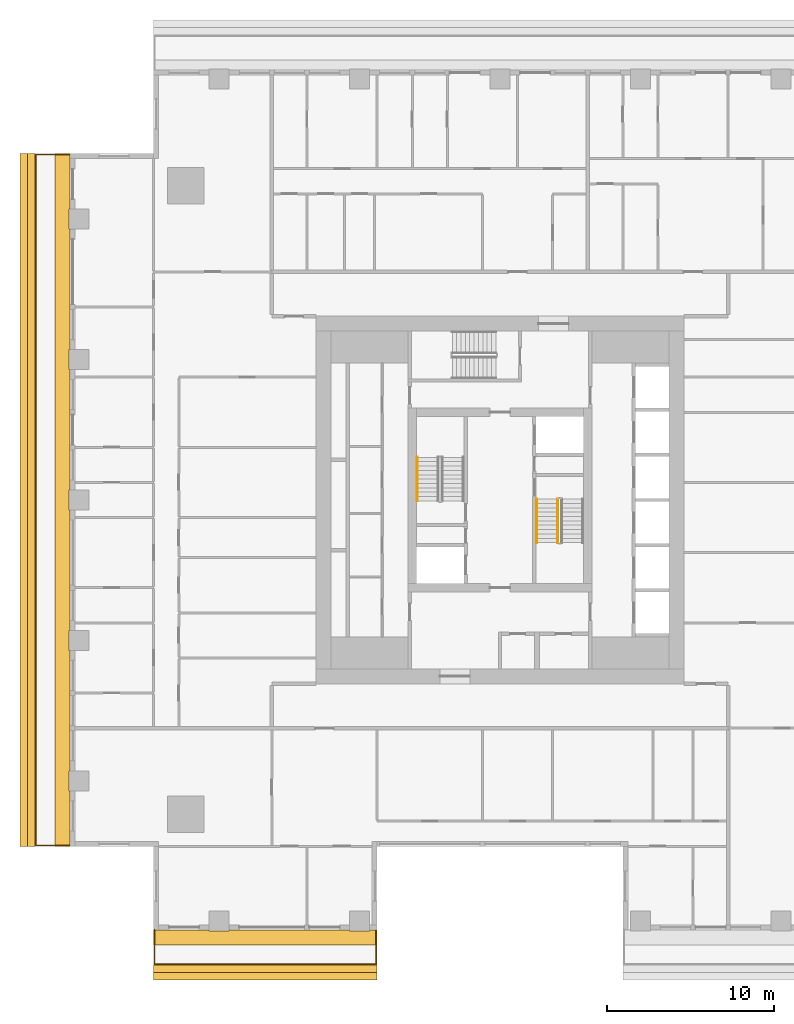
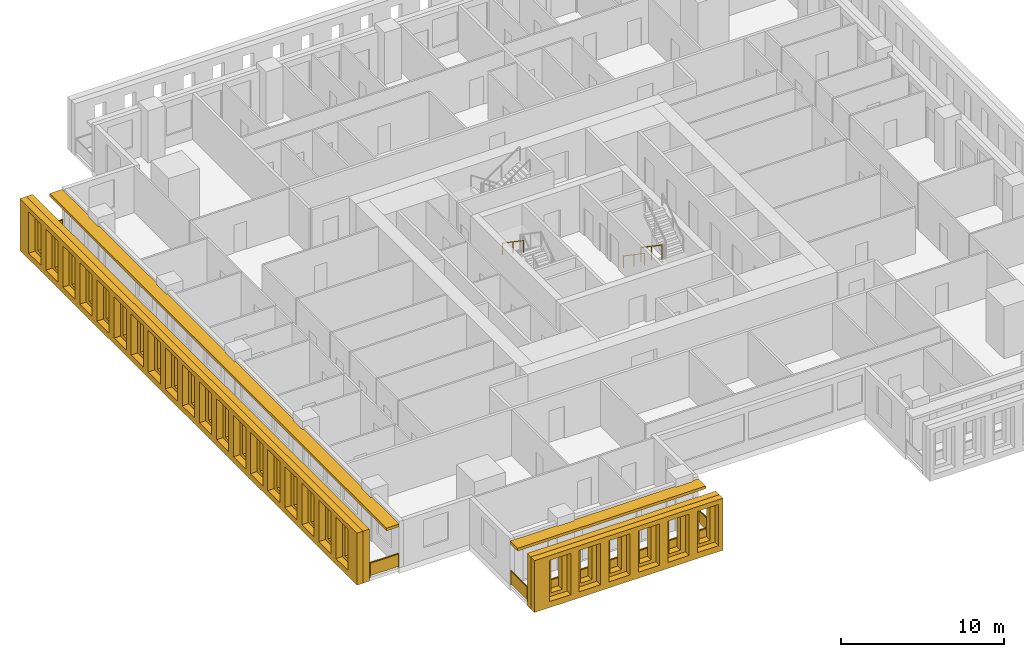
# One storey, part 11 of 15: 6 shading devices, 5 railings.
"""IFC4 building model written with IfcOpenShell, lengths in metres."""

from ifc_helpers import new_model, si_unit, direction, frame, origin, origin_2d, place, context, subcontext, project, spatial, polyline, rectangle, outline, extrude, material, layer, layer_set, type_object, element, save


model = new_model("IFC4")

# Units and contexts
model_context = context("Model", 3, precision=1e-05, world=origin(), true_north=direction((0.0, 1.0)))
body_context = subcontext(model_context, "Body", "Model", "MODEL_VIEW")
ifc_project = project(units=[si_unit("LENGTHUNIT", "METRE"), si_unit("AREAUNIT", "SQUARE_METRE"), si_unit("VOLUMEUNIT", "CUBIC_METRE"), si_unit("PLANEANGLEUNIT", "RADIAN"), si_unit("MASSUNIT", "GRAM", prefix="KILO")], contexts=[model_context])

# Site, building, storey
site_placement = place(None, origin())
site = spatial("IfcSite", under=ifc_project, at=site_placement, CompositionType="ELEMENT")
building_placement = place(site_placement, origin())
building = spatial("IfcBuilding", under=site, at=building_placement, Name="Khepri Terraces", CompositionType="ELEMENT")
storey_placement = place(building_placement, frame((0.0, 0.0, 260.10009765625)))
storey = spatial("IfcBuildingStorey", under=building, at=storey_placement, Name="L62", CompositionType="ELEMENT", Elevation=260.10009765625)

# Railings
ifc_material_1 = material(Name="Stainless steel grade 316", Category="steel")
railing_type_1 = type_object("IfcRailingType", Name="GRD-BAL-1100", PredefinedType="GUARDRAIL", material=ifc_material_1)
railing_1_placement = place(storey_placement, frame((-20.669921875, -25.719970703125, 0.0)))
element("IfcRailing", 1, at=railing_1_placement, inside=storey, type_object=railing_type_1, Name="Balcony guard L62 S", PredefinedType="GUARDRAIL", context=body_context, shape_type="SweptSolid", body=[
    extrude(rectangle(XDim=0.050048828125, YDim=0.06005859375, at=origin_2d()), frame((0.0, 0.0, 1.070068359375), z_axis=(0.0, -1.0, 0.0), x_axis=(1.0, 0.0, 0.0)), (0.0, 0.0, 1.0), 2.050048828125),
    extrude(rectangle(XDim=2.0, YDim=0.011962890625, at=origin_2d()), frame((0.0, -1.02490234375, 0.10009765625), z_axis=(0.0, 0.0, 1.0), x_axis=(0.0, -1.0, 0.0)), (0.0, 0.0, 1.0), 0.93994140625),
    extrude(rectangle(XDim=0.050048828125, YDim=0.06005859375, at=origin_2d()), frame((0.0, -2.050048828125, 1.070068359375), z_axis=(1.0, 0.0, 0.0), x_axis=(0.0, 1.0, 0.0)), (0.0, 0.0, 1.0), 13.27001953125),
    extrude(rectangle(XDim=2.16162109375, YDim=0.011962890625, at=origin_2d()), frame((1.10595703125, -2.050048828125, 0.10009765625), z_axis=(0.0, 0.0, 1.0), x_axis=(1.0, 0.0, 0.0)), (0.0, 0.0, 1.0), 0.93994140625),
    extrude(rectangle(XDim=2.16162109375, YDim=0.011962890625, at=origin_2d()), frame((3.3173828125, -2.050048828125, 0.10009765625), z_axis=(0.0, 0.0, 1.0), x_axis=(1.0, 0.0, 0.0)), (0.0, 0.0, 1.0), 0.93994140625),
    extrude(rectangle(XDim=2.16162109375, YDim=0.011962890625, at=origin_2d()), frame((5.529296875, -2.050048828125, 0.10009765625), z_axis=(0.0, 0.0, 1.0), x_axis=(1.0, 0.0, 0.0)), (0.0, 0.0, 1.0), 0.93994140625),
    extrude(rectangle(XDim=2.16162109375, YDim=0.011962890625, at=origin_2d()), frame((7.740966796875, -2.050048828125, 0.10009765625), z_axis=(0.0, 0.0, 1.0), x_axis=(1.0, 0.0, 0.0)), (0.0, 0.0, 1.0), 0.93994140625),
    extrude(rectangle(XDim=2.16162109375, YDim=0.011962890625, at=origin_2d()), frame((9.95263671875, -2.050048828125, 0.10009765625), z_axis=(0.0, 0.0, 1.0), x_axis=(1.0, 0.0, 0.0)), (0.0, 0.0, 1.0), 0.93994140625),
    extrude(rectangle(XDim=2.16162109375, YDim=0.011962890625, at=origin_2d()), frame((12.1640625, -2.050048828125, 0.10009765625), z_axis=(0.0, 0.0, 1.0), x_axis=(1.0, 0.0, 0.0)), (0.0, 0.0, 1.0), 0.93994140625),
    extrude(rectangle(XDim=0.050048828125, YDim=0.06005859375, at=origin_2d()), frame((13.27001953125, -2.050048828125, 1.070068359375), z_axis=(0.0, 1.0, 0.0), x_axis=(-1.0, 0.0, 0.0)), (0.0, 0.0, 1.0), 2.050048828125),
    extrude(rectangle(XDim=2.0, YDim=0.011962890625, at=origin_2d()), frame((13.27001953125, -1.02490234375, 0.10009765625), z_axis=(0.0, 0.0, 1.0), x_axis=(0.0, 1.0, 0.0)), (0.0, 0.0, 1.0), 0.93994140625),
    extrude(rectangle(XDim=0.050048828125, YDim=0.050048828125, at=origin_2d()), origin(), (0.0, 0.0, 1.0), 1.0400390625),
    extrude(rectangle(XDim=0.050048828125, YDim=0.050048828125, at=origin_2d()), frame((0.0, -2.050048828125, 0.0)), (0.0, 0.0, 1.0), 1.0400390625),
    extrude(rectangle(XDim=0.050048828125, YDim=0.050048828125, at=origin_2d()), frame((2.211669921875, -2.050048828125, 0.0)), (0.0, 0.0, 1.0), 1.0400390625),
    extrude(rectangle(XDim=0.050048828125, YDim=0.050048828125, at=origin_2d()), frame((4.42333984375, -2.050048828125, 0.0)), (0.0, 0.0, 1.0), 1.0400390625),
    extrude(rectangle(XDim=0.050048828125, YDim=0.050048828125, at=origin_2d()), frame((6.635009765625, -2.050048828125, 0.0)), (0.0, 0.0, 1.0), 1.0400390625),
    extrude(rectangle(XDim=0.050048828125, YDim=0.050048828125, at=origin_2d()), frame((8.8466796875, -2.050048828125, 0.0)), (0.0, 0.0, 1.0), 1.0400390625),
    extrude(rectangle(XDim=0.050048828125, YDim=0.050048828125, at=origin_2d()), frame((11.058349609375, -2.050048828125, 0.0)), (0.0, 0.0, 1.0), 1.0400390625),
    extrude(rectangle(XDim=0.050048828125, YDim=0.050048828125, at=origin_2d()), frame((13.27001953125, -2.050048828125, 0.0)), (0.0, 0.0, 1.0), 1.0400390625),
    extrude(rectangle(XDim=0.050048828125, YDim=0.050048828125, at=origin_2d()), frame((13.27001953125, 0.0, 0.0)), (0.0, 0.0, 1.0), 1.0400390625),
])
railing_2_placement = place(storey_placement, frame((-25.719970703125, 20.669921875, 0.0)))
element("IfcRailing", 2, at=railing_2_placement, inside=storey, type_object=railing_type_1, Name="Balcony guard L62 W", PredefinedType="GUARDRAIL", context=body_context, shape_type="SweptSolid", body=[
    extrude(rectangle(XDim=0.050048828125, YDim=0.06005859375, at=origin_2d()), frame((0.0, 0.0, 1.070068359375), z_axis=(-1.0, 0.0, 0.0), x_axis=(0.0, -1.0, 0.0)), (0.0, 0.0, 1.0), 2.050048828125),
    extrude(rectangle(XDim=2.0, YDim=0.011962890625, at=origin_2d()), frame((-1.02490234375, 0.0, 0.10009765625), z_axis=(0.0, 0.0, 1.0), x_axis=(-1.0, 0.0, 0.0)), (0.0, 0.0, 1.0), 0.93994140625),
    extrude(rectangle(XDim=0.050048828125, YDim=0.06005859375, at=origin_2d()), frame((-2.050048828125, 0.0, 1.070068359375), z_axis=(0.0, -1.0, 0.0), x_axis=(1.0, 0.0, 0.0)), (0.0, 0.0, 1.0), 41.33984375),
    extrude(rectangle(XDim=2.24658203125, YDim=0.011962890625, at=origin_2d()), frame((-2.050048828125, -1.1484375, 0.10009765625), z_axis=(0.0, 0.0, 1.0), x_axis=(0.0, -1.0, 0.0)), (0.0, 0.0, 1.0), 0.93994140625),
    extrude(rectangle(XDim=2.24658203125, YDim=0.011962890625, at=origin_2d()), frame((-2.050048828125, -3.445068359375, 0.10009765625), z_axis=(0.0, 0.0, 1.0), x_axis=(0.0, -1.0, 0.0)), (0.0, 0.0, 1.0), 0.93994140625),
    extrude(rectangle(XDim=2.24658203125, YDim=0.011962890625, at=origin_2d()), frame((-2.050048828125, -5.74169921875, 0.10009765625), z_axis=(0.0, 0.0, 1.0), x_axis=(0.0, -1.0, 0.0)), (0.0, 0.0, 1.0), 0.93994140625),
    extrude(rectangle(XDim=2.24658203125, YDim=0.011962890625, at=origin_2d()), frame((-2.050048828125, -8.038330078125, 0.10009765625), z_axis=(0.0, 0.0, 1.0), x_axis=(0.0, -1.0, 0.0)), (0.0, 0.0, 1.0), 0.93994140625),
    extrude(rectangle(XDim=2.24658203125, YDim=0.011962890625, at=origin_2d()), frame((-2.050048828125, -10.3349609375, 0.10009765625), z_axis=(0.0, 0.0, 1.0), x_axis=(0.0, -1.0, 0.0)), (0.0, 0.0, 1.0), 0.93994140625),
    extrude(rectangle(XDim=2.24658203125, YDim=0.011962890625, at=origin_2d()), frame((-2.050048828125, -12.631591796875, 0.10009765625), z_axis=(0.0, 0.0, 1.0), x_axis=(0.0, -1.0, 0.0)), (0.0, 0.0, 1.0), 0.93994140625),
    extrude(rectangle(XDim=2.24658203125, YDim=0.011962890625, at=origin_2d()), frame((-2.050048828125, -14.92822265625, 0.10009765625), z_axis=(0.0, 0.0, 1.0), x_axis=(0.0, -1.0, 0.0)), (0.0, 0.0, 1.0), 0.93994140625),
    extrude(rectangle(XDim=2.24658203125, YDim=0.011962890625, at=origin_2d()), frame((-2.050048828125, -17.224853515625, 0.10009765625), z_axis=(0.0, 0.0, 1.0), x_axis=(0.0, -1.0, 0.0)), (0.0, 0.0, 1.0), 0.93994140625),
    extrude(rectangle(XDim=2.24658203125, YDim=0.011962890625, at=origin_2d()), frame((-2.050048828125, -19.521484375, 0.10009765625), z_axis=(0.0, 0.0, 1.0), x_axis=(0.0, -1.0, 0.0)), (0.0, 0.0, 1.0), 0.93994140625),
    extrude(rectangle(XDim=2.24658203125, YDim=0.011962890625, at=origin_2d()), frame((-2.050048828125, -21.818359375, 0.10009765625), z_axis=(0.0, 0.0, 1.0), x_axis=(0.0, -1.0, 0.0)), (0.0, 0.0, 1.0), 0.93994140625),
    extrude(rectangle(XDim=2.24658203125, YDim=0.011962890625, at=origin_2d()), frame((-2.050048828125, -24.114990234375, 0.10009765625), z_axis=(0.0, 0.0, 1.0), x_axis=(0.0, -1.0, 0.0)), (0.0, 0.0, 1.0), 0.93994140625),
    extrude(rectangle(XDim=2.24658203125, YDim=0.011962890625, at=origin_2d()), frame((-2.050048828125, -26.41162109375, 0.10009765625), z_axis=(0.0, 0.0, 1.0), x_axis=(0.0, -1.0, 0.0)), (0.0, 0.0, 1.0), 0.93994140625),
    extrude(rectangle(XDim=2.24658203125, YDim=0.011962890625, at=origin_2d()), frame((-2.050048828125, -28.708251953125, 0.10009765625), z_axis=(0.0, 0.0, 1.0), x_axis=(0.0, -1.0, 0.0)), (0.0, 0.0, 1.0), 0.93994140625),
    extrude(rectangle(XDim=2.24658203125, YDim=0.011962890625, at=origin_2d()), frame((-2.050048828125, -31.0048828125, 0.10009765625), z_axis=(0.0, 0.0, 1.0), x_axis=(0.0, -1.0, 0.0)), (0.0, 0.0, 1.0), 0.93994140625),
    extrude(rectangle(XDim=2.24658203125, YDim=0.011962890625, at=origin_2d()), frame((-2.050048828125, -33.301513671875, 0.10009765625), z_axis=(0.0, 0.0, 1.0), x_axis=(0.0, -1.0, 0.0)), (0.0, 0.0, 1.0), 0.93994140625),
    extrude(rectangle(XDim=2.24658203125, YDim=0.011962890625, at=origin_2d()), frame((-2.050048828125, -35.59814453125, 0.10009765625), z_axis=(0.0, 0.0, 1.0), x_axis=(0.0, -1.0, 0.0)), (0.0, 0.0, 1.0), 0.93994140625),
    extrude(rectangle(XDim=2.24658203125, YDim=0.011962890625, at=origin_2d()), frame((-2.050048828125, -37.894775390625, 0.10009765625), z_axis=(0.0, 0.0, 1.0), x_axis=(0.0, -1.0, 0.0)), (0.0, 0.0, 1.0), 0.93994140625),
    extrude(rectangle(XDim=2.24658203125, YDim=0.011962890625, at=origin_2d()), frame((-2.050048828125, -40.19140625, 0.10009765625), z_axis=(0.0, 0.0, 1.0), x_axis=(0.0, -1.0, 0.0)), (0.0, 0.0, 1.0), 0.93994140625),
    extrude(rectangle(XDim=0.050048828125, YDim=0.06005859375, at=origin_2d()), frame((-2.050048828125, -41.33984375, 1.070068359375), z_axis=(1.0, 0.0, 0.0), x_axis=(0.0, 1.0, 0.0)), (0.0, 0.0, 1.0), 2.050048828125),
    extrude(rectangle(XDim=2.0, YDim=0.011962890625, at=origin_2d()), frame((-1.02490234375, -41.33984375, 0.10009765625), z_axis=(0.0, 0.0, 1.0), x_axis=(1.0, 0.0, 0.0)), (0.0, 0.0, 1.0), 0.93994140625),
    extrude(rectangle(XDim=0.050048828125, YDim=0.050048828125, at=origin_2d()), origin(), (0.0, 0.0, 1.0), 1.0400390625),
    extrude(rectangle(XDim=0.050048828125, YDim=0.050048828125, at=origin_2d()), frame((-2.050048828125, 0.0, 0.0)), (0.0, 0.0, 1.0), 1.0400390625),
    extrude(rectangle(XDim=0.050048828125, YDim=0.050048828125, at=origin_2d()), frame((-2.050048828125, -2.296630859375, 0.0)), (0.0, 0.0, 1.0), 1.0400390625),
    extrude(rectangle(XDim=0.050048828125, YDim=0.050048828125, at=origin_2d()), frame((-2.050048828125, -4.59326171875, 0.0)), (0.0, 0.0, 1.0), 1.0400390625),
    extrude(rectangle(XDim=0.050048828125, YDim=0.050048828125, at=origin_2d()), frame((-2.050048828125, -6.889892578125, 0.0)), (0.0, 0.0, 1.0), 1.0400390625),
    extrude(rectangle(XDim=0.050048828125, YDim=0.050048828125, at=origin_2d()), frame((-2.050048828125, -9.1865234375, 0.0)), (0.0, 0.0, 1.0), 1.0400390625),
    extrude(rectangle(XDim=0.050048828125, YDim=0.050048828125, at=origin_2d()), frame((-2.050048828125, -11.4833984375, 0.0)), (0.0, 0.0, 1.0), 1.0400390625),
    extrude(rectangle(XDim=0.050048828125, YDim=0.050048828125, at=origin_2d()), frame((-2.050048828125, -13.780029296875, 0.0)), (0.0, 0.0, 1.0), 1.0400390625),
    extrude(rectangle(XDim=0.050048828125, YDim=0.050048828125, at=origin_2d()), frame((-2.050048828125, -16.07666015625, 0.0)), (0.0, 0.0, 1.0), 1.0400390625),
    extrude(rectangle(XDim=0.050048828125, YDim=0.050048828125, at=origin_2d()), frame((-2.050048828125, -18.373291015625, 0.0)), (0.0, 0.0, 1.0), 1.0400390625),
    extrude(rectangle(XDim=0.050048828125, YDim=0.050048828125, at=origin_2d()), frame((-2.050048828125, -20.669921875, 0.0)), (0.0, 0.0, 1.0), 1.0400390625),
    extrude(rectangle(XDim=0.050048828125, YDim=0.050048828125, at=origin_2d()), frame((-2.050048828125, -22.966552734375, 0.0)), (0.0, 0.0, 1.0), 1.0400390625),
    extrude(rectangle(XDim=0.050048828125, YDim=0.050048828125, at=origin_2d()), frame((-2.050048828125, -25.26318359375, 0.0)), (0.0, 0.0, 1.0), 1.0400390625),
    extrude(rectangle(XDim=0.050048828125, YDim=0.050048828125, at=origin_2d()), frame((-2.050048828125, -27.559814453125, 0.0)), (0.0, 0.0, 1.0), 1.0400390625),
    extrude(rectangle(XDim=0.050048828125, YDim=0.050048828125, at=origin_2d()), frame((-2.050048828125, -29.8564453125, 0.0)), (0.0, 0.0, 1.0), 1.0400390625),
    extrude(rectangle(XDim=0.050048828125, YDim=0.050048828125, at=origin_2d()), frame((-2.050048828125, -32.1533203125, 0.0)), (0.0, 0.0, 1.0), 1.0400390625),
    extrude(rectangle(XDim=0.050048828125, YDim=0.050048828125, at=origin_2d()), frame((-2.050048828125, -34.449951171875, 0.0)), (0.0, 0.0, 1.0), 1.0400390625),
    extrude(rectangle(XDim=0.050048828125, YDim=0.050048828125, at=origin_2d()), frame((-2.050048828125, -36.74658203125, 0.0)), (0.0, 0.0, 1.0), 1.0400390625),
    extrude(rectangle(XDim=0.050048828125, YDim=0.050048828125, at=origin_2d()), frame((-2.050048828125, -39.043212890625, 0.0)), (0.0, 0.0, 1.0), 1.0400390625),
    extrude(rectangle(XDim=0.050048828125, YDim=0.050048828125, at=origin_2d()), frame((-2.050048828125, -41.33984375, 0.0)), (0.0, 0.0, 1.0), 1.0400390625),
    extrude(rectangle(XDim=0.050048828125, YDim=0.050048828125, at=origin_2d()), frame((0.0, -41.33984375, 0.0)), (0.0, 0.0, 1.0), 1.0400390625),
])
ifc_material_2 = material(Name="Stainless steel 316", Category="steel")
railing_type_2 = type_object("IfcRailingType", Name="RL-CORE-GUARD", PredefinedType="GUARDRAIL", material=ifc_material_2)
railing_3_placement = place(storey_placement, frame((3.449951171875, 0.050048828125, 0.17724609375)))
element("IfcRailing", 3, at=railing_3_placement, inside=storey, type_object=railing_type_2, Name="L62 ST-2 stair guard 1", PredefinedType="GUARDRAIL", context=body_context, shape_type="SweptSolid", body=[
    extrude(rectangle(XDim=0.050048828125, YDim=0.06005859375, at=origin_2d()), frame((0.0, 0.0, 1.070068359375), z_axis=(0.0, -0.826240473404, 0.563317565952), x_axis=(1.0, 0.0, 0.0)), (0.0, 0.0, 1.0), 3.14697265625),
    extrude(rectangle(XDim=0.050048828125, YDim=0.050048828125, at=origin_2d()), origin(), (0.0, 0.0, 1.0), 1.0400390625),
    extrude(rectangle(XDim=0.050048828125, YDim=0.050048828125, at=origin_2d()), frame((0.0, -1.300048828125, 0.88623046875)), (0.0, 0.0, 1.0), 1.0400390625),
    extrude(rectangle(XDim=0.050048828125, YDim=0.050048828125, at=origin_2d()), frame((0.0, -2.60009765625, 1.772705078125)), (0.0, 0.0, 1.0), 1.0400390625),
])
railing_type_3 = type_object("IfcRailingType", Name="RL-CORE-HANDRAIL", PredefinedType="HANDRAIL", material=ifc_material_2)
for number, where, name in (
    (4, (-4.949951171875, 2.550048828125, 2.127197265625), "L62 ST-1 stair handrail 2"),
    (5, (2.199951171875, 0.050048828125, 0.17724609375), "L62 ST-2 stair handrail 1"),
):
    element("IfcRailing", number, at=place(storey_placement, frame(where)), inside=storey, type_object=railing_type_3, Name=name, PredefinedType="HANDRAIL", context=body_context, shape_type="SweptSolid", body=[
        extrude(rectangle(XDim=0.050048828125, YDim=0.050048828125, at=origin_2d()), frame((0.0, 0.0, 0.875), z_axis=(0.0, -0.826240473404, 0.563317565952), x_axis=(1.0, 0.0, 0.0)), (0.0, 0.0, 1.0), 3.14697265625),
        extrude(rectangle(XDim=0.050048828125, YDim=0.050048828125, at=origin_2d()), origin(), (0.0, 0.0, 1.0), 0.849853515625),
        extrude(rectangle(XDim=0.050048828125, YDim=0.050048828125, at=origin_2d()), frame((0.0, -1.300048828125, 0.88623046875)), (0.0, 0.0, 1.0), 0.849853515625),
        extrude(rectangle(XDim=0.050048828125, YDim=0.050048828125, at=origin_2d()), frame((0.0, -2.60009765625, 1.772705078125)), (0.0, 0.0, 1.0), 0.849853515625),
    ])

# Shading devices
ifc_material_3 = material(Name="Precast concrete C50/60 warm stone", Category="masonry")
shading_device_type_1 = type_object("IfcShadingDeviceType", Name="SCR-CELL-INNER-450", PredefinedType="USERDEFINED", material=ifc_material_3)
shading_device_1_placement = place(storey_placement, frame((-20.719970703125, -27.820068359375, -0.25), z_axis=(0.0, -1.0, 0.0), x_axis=(1.0, 0.0, 0.0)))
element("IfcShadingDevice", 6, at=shading_device_1_placement, inside=storey, type_object=shading_device_type_1, Name="Cell screen L62 S in", ObjectType="SCREEN", PredefinedType="USERDEFINED", context=body_context, shape_type="SweptSolid", body=[
    extrude(outline(polyline([(0.0, 0.0), (13.3701171875, 0.0), (13.3701171875, 3.89990234375), (0.0, 3.89990234375), (0.0, 0.0)]), holes=[polyline([(1.41845703125, 0.699951171875), (2.2216796875, 0.699951171875), (2.2216796875, 3.300048828125), (1.41845703125, 3.300048828125), (1.41845703125, 0.699951171875)]), polyline([(3.518310546875, 0.699951171875), (4.321533203125, 0.699951171875), (4.321533203125, 3.300048828125), (3.518310546875, 3.300048828125), (3.518310546875, 0.699951171875)]), polyline([(5.618408203125, 0.699951171875), (6.421630859375, 0.699951171875), (6.421630859375, 3.300048828125), (5.618408203125, 3.300048828125), (5.618408203125, 0.699951171875)]), polyline([(7.718505859375, 0.699951171875), (8.521484375, 0.699951171875), (8.521484375, 3.300048828125), (7.718505859375, 3.300048828125), (7.718505859375, 0.699951171875)]), polyline([(9.818359375, 0.699951171875), (10.62158203125, 0.699951171875), (10.62158203125, 3.300048828125), (9.818359375, 3.300048828125), (9.818359375, 0.699951171875)]), polyline([(11.91845703125, 0.699951171875), (12.7216796875, 0.699951171875), (12.7216796875, 3.300048828125), (11.91845703125, 3.300048828125), (11.91845703125, 0.699951171875)])]), origin(), (0.0, 0.0, 1.0), 0.449951171875),
])
shading_device_2_placement = place(storey_placement, frame((-27.820068359375, 20.719970703125, -0.25), z_axis=(-1.0, 0.0, 0.0), x_axis=(0.0, -1.0, 0.0)))
element("IfcShadingDevice", 7, at=shading_device_2_placement, inside=storey, type_object=shading_device_type_1, Name="Cell screen L62 W in", ObjectType="SCREEN", PredefinedType="USERDEFINED", context=body_context, shape_type="SweptSolid", body=[
    extrude(outline(polyline([(0.0, 0.0), (41.43994140625, 0.0), (41.43994140625, 3.89990234375), (0.0, 3.89990234375), (0.0, 0.0)]), holes=[polyline([(1.41845703125, 0.699951171875), (2.2216796875, 0.699951171875), (2.2216796875, 3.300048828125), (1.41845703125, 3.300048828125), (1.41845703125, 0.699951171875)]), polyline([(3.518310546875, 0.699951171875), (4.321533203125, 0.699951171875), (4.321533203125, 3.300048828125), (3.518310546875, 3.300048828125), (3.518310546875, 0.699951171875)]), polyline([(5.618408203125, 0.699951171875), (6.421630859375, 0.699951171875), (6.421630859375, 3.300048828125), (5.618408203125, 3.300048828125), (5.618408203125, 0.699951171875)]), polyline([(7.718505859375, 0.699951171875), (8.521484375, 0.699951171875), (8.521484375, 3.300048828125), (7.718505859375, 3.300048828125), (7.718505859375, 0.699951171875)]), polyline([(9.818359375, 0.699951171875), (10.62158203125, 0.699951171875), (10.62158203125, 3.300048828125), (9.818359375, 3.300048828125), (9.818359375, 0.699951171875)]), polyline([(11.91845703125, 0.699951171875), (12.7216796875, 0.699951171875), (12.7216796875, 3.300048828125), (11.91845703125, 3.300048828125), (11.91845703125, 0.699951171875)]), polyline([(14.018310546875, 0.699951171875), (14.821533203125, 0.699951171875), (14.821533203125, 3.300048828125), (14.018310546875, 3.300048828125), (14.018310546875, 0.699951171875)]), polyline([(16.118408203125, 0.699951171875), (16.921630859375, 0.699951171875), (16.921630859375, 3.300048828125), (16.118408203125, 3.300048828125), (16.118408203125, 0.699951171875)]), polyline([(18.218505859375, 0.699951171875), (19.021484375, 0.699951171875), (19.021484375, 3.300048828125), (18.218505859375, 3.300048828125), (18.218505859375, 0.699951171875)]), polyline([(20.318359375, 0.699951171875), (21.12158203125, 0.699951171875), (21.12158203125, 3.300048828125), (20.318359375, 3.300048828125), (20.318359375, 0.699951171875)]), polyline([(22.41845703125, 0.699951171875), (23.2216796875, 0.699951171875), (23.2216796875, 3.300048828125), (22.41845703125, 3.300048828125), (22.41845703125, 0.699951171875)]), polyline([(24.518310546875, 0.699951171875), (25.321533203125, 0.699951171875), (25.321533203125, 3.300048828125), (24.518310546875, 3.300048828125), (24.518310546875, 0.699951171875)]), polyline([(26.618408203125, 0.699951171875), (27.421630859375, 0.699951171875), (27.421630859375, 3.300048828125), (26.618408203125, 3.300048828125), (26.618408203125, 0.699951171875)]), polyline([(28.718505859375, 0.699951171875), (29.521484375, 0.699951171875), (29.521484375, 3.300048828125), (28.718505859375, 3.300048828125), (28.718505859375, 0.699951171875)]), polyline([(30.818359375, 0.699951171875), (31.62158203125, 0.699951171875), (31.62158203125, 3.300048828125), (30.818359375, 3.300048828125), (30.818359375, 0.699951171875)]), polyline([(32.91845703125, 0.699951171875), (33.7216796875, 0.699951171875), (33.7216796875, 3.300048828125), (32.91845703125, 3.300048828125), (32.91845703125, 0.699951171875)]), polyline([(35.018310546875, 0.699951171875), (35.821533203125, 0.699951171875), (35.821533203125, 3.300048828125), (35.018310546875, 3.300048828125), (35.018310546875, 0.699951171875)]), polyline([(37.118408203125, 0.699951171875), (37.921630859375, 0.699951171875), (37.921630859375, 3.300048828125), (37.118408203125, 3.300048828125), (37.118408203125, 0.699951171875)]), polyline([(39.218505859375, 0.699951171875), (40.021484375, 0.699951171875), (40.021484375, 3.300048828125), (39.218505859375, 3.300048828125), (39.218505859375, 0.699951171875)])]), origin(), (0.0, 0.0, 1.0), 0.449951171875),
])
shading_device_type_2 = type_object("IfcShadingDeviceType", Name="SCR-CELL-OUTER-450", PredefinedType="USERDEFINED", material=ifc_material_3)
shading_device_3_placement = place(storey_placement, frame((-20.719970703125, -28.27001953125, -0.25), z_axis=(0.0, -1.0, 0.0), x_axis=(1.0, 0.0, 0.0)))
element("IfcShadingDevice", 8, at=shading_device_3_placement, inside=storey, type_object=shading_device_type_2, Name="Cell screen L62 S out", ObjectType="SCREEN", PredefinedType="USERDEFINED", context=body_context, shape_type="SweptSolid", body=[
    extrude(outline(polyline([(0.0, 0.0), (13.3701171875, 0.0), (13.3701171875, 3.89990234375), (0.0, 3.89990234375), (0.0, 0.0)]), holes=[polyline([(1.068359375, 0.449951171875), (2.571533203125, 0.449951171875), (2.571533203125, 3.550048828125), (1.068359375, 3.550048828125), (1.068359375, 0.449951171875)]), polyline([(3.16845703125, 0.449951171875), (4.671630859375, 0.449951171875), (4.671630859375, 3.550048828125), (3.16845703125, 3.550048828125), (3.16845703125, 0.449951171875)]), polyline([(5.268310546875, 0.449951171875), (6.771484375, 0.449951171875), (6.771484375, 3.550048828125), (5.268310546875, 3.550048828125), (5.268310546875, 0.449951171875)]), polyline([(7.368408203125, 0.449951171875), (8.87158203125, 0.449951171875), (8.87158203125, 3.550048828125), (7.368408203125, 3.550048828125), (7.368408203125, 0.449951171875)]), polyline([(9.468505859375, 0.449951171875), (10.9716796875, 0.449951171875), (10.9716796875, 3.550048828125), (9.468505859375, 3.550048828125), (9.468505859375, 0.449951171875)]), polyline([(11.568359375, 0.449951171875), (13.071533203125, 0.449951171875), (13.071533203125, 3.550048828125), (11.568359375, 3.550048828125), (11.568359375, 0.449951171875)])]), origin(), (0.0, 0.0, 1.0), 0.449951171875),
])
shading_device_4_placement = place(storey_placement, frame((-28.27001953125, 20.719970703125, -0.25), z_axis=(-1.0, 0.0, 0.0), x_axis=(0.0, -1.0, 0.0)))
element("IfcShadingDevice", 9, at=shading_device_4_placement, inside=storey, type_object=shading_device_type_2, Name="Cell screen L62 W out", ObjectType="SCREEN", PredefinedType="USERDEFINED", context=body_context, shape_type="SweptSolid", body=[
    extrude(outline(polyline([(0.0, 0.0), (41.43994140625, 0.0), (41.43994140625, 3.89990234375), (0.0, 3.89990234375), (0.0, 0.0)]), holes=[polyline([(1.068359375, 0.449951171875), (2.571533203125, 0.449951171875), (2.571533203125, 3.550048828125), (1.068359375, 3.550048828125), (1.068359375, 0.449951171875)]), polyline([(3.16845703125, 0.449951171875), (4.671630859375, 0.449951171875), (4.671630859375, 3.550048828125), (3.16845703125, 3.550048828125), (3.16845703125, 0.449951171875)]), polyline([(5.268310546875, 0.449951171875), (6.771484375, 0.449951171875), (6.771484375, 3.550048828125), (5.268310546875, 3.550048828125), (5.268310546875, 0.449951171875)]), polyline([(7.368408203125, 0.449951171875), (8.87158203125, 0.449951171875), (8.87158203125, 3.550048828125), (7.368408203125, 3.550048828125), (7.368408203125, 0.449951171875)]), polyline([(9.468505859375, 0.449951171875), (10.9716796875, 0.449951171875), (10.9716796875, 3.550048828125), (9.468505859375, 3.550048828125), (9.468505859375, 0.449951171875)]), polyline([(11.568359375, 0.449951171875), (13.071533203125, 0.449951171875), (13.071533203125, 3.550048828125), (11.568359375, 3.550048828125), (11.568359375, 0.449951171875)]), polyline([(13.66845703125, 0.449951171875), (15.171630859375, 0.449951171875), (15.171630859375, 3.550048828125), (13.66845703125, 3.550048828125), (13.66845703125, 0.449951171875)]), polyline([(15.768310546875, 0.449951171875), (17.271484375, 0.449951171875), (17.271484375, 3.550048828125), (15.768310546875, 3.550048828125), (15.768310546875, 0.449951171875)]), polyline([(17.868408203125, 0.449951171875), (19.37158203125, 0.449951171875), (19.37158203125, 3.550048828125), (17.868408203125, 3.550048828125), (17.868408203125, 0.449951171875)]), polyline([(19.968505859375, 0.449951171875), (21.4716796875, 0.449951171875), (21.4716796875, 3.550048828125), (19.968505859375, 3.550048828125), (19.968505859375, 0.449951171875)]), polyline([(22.068359375, 0.449951171875), (23.571533203125, 0.449951171875), (23.571533203125, 3.550048828125), (22.068359375, 3.550048828125), (22.068359375, 0.449951171875)]), polyline([(24.16845703125, 0.449951171875), (25.671630859375, 0.449951171875), (25.671630859375, 3.550048828125), (24.16845703125, 3.550048828125), (24.16845703125, 0.449951171875)]), polyline([(26.268310546875, 0.449951171875), (27.771484375, 0.449951171875), (27.771484375, 3.550048828125), (26.268310546875, 3.550048828125), (26.268310546875, 0.449951171875)]), polyline([(28.368408203125, 0.449951171875), (29.87158203125, 0.449951171875), (29.87158203125, 3.550048828125), (28.368408203125, 3.550048828125), (28.368408203125, 0.449951171875)]), polyline([(30.468505859375, 0.449951171875), (31.9716796875, 0.449951171875), (31.9716796875, 3.550048828125), (30.468505859375, 3.550048828125), (30.468505859375, 0.449951171875)]), polyline([(32.568359375, 0.449951171875), (34.071533203125, 0.449951171875), (34.071533203125, 3.550048828125), (32.568359375, 3.550048828125), (32.568359375, 0.449951171875)]), polyline([(34.66845703125, 0.449951171875), (36.171630859375, 0.449951171875), (36.171630859375, 3.550048828125), (34.66845703125, 3.550048828125), (34.66845703125, 0.449951171875)]), polyline([(36.768310546875, 0.449951171875), (38.271484375, 0.449951171875), (38.271484375, 3.550048828125), (36.768310546875, 3.550048828125), (36.768310546875, 0.449951171875)]), polyline([(38.868408203125, 0.449951171875), (40.37158203125, 0.449951171875), (40.37158203125, 3.550048828125), (38.868408203125, 3.550048828125), (38.868408203125, 0.449951171875)])]), origin(), (0.0, 0.0, 1.0), 0.449951171875),
])
ifc_layer = layer(ifc_material_3, 0.199951171875, Name="Precast concrete C50/60 warm stone", Category="masonry")
ifc_layer_set = layer_set([ifc_layer], Name="Precast concrete C50/60 warm stone")
shading_device_type_3 = type_object("IfcShadingDeviceType", Name="SSH-BAND-STONE-200", PredefinedType="USERDEFINED", material=ifc_layer_set)
shading_device_5_placement = place(storey_placement, frame((0.0, 0.0, 3.099853515625)))
element("IfcShadingDevice", 10, at=shading_device_5_placement, inside=storey, type_object=shading_device_type_3, Name="Sunshade band L62 S", ObjectType="SUNSHADE", PredefinedType="USERDEFINED", context=body_context, shape_type="SweptSolid", body=[
    extrude(outline(polyline([(-17.39990234375, -25.719970703125), (-20.719970703125, -25.719970703125), (-20.719970703125, -26.6201171875), (-7.35009765625, -26.6201171875), (-7.35009765625, -25.719970703125), (-7.800048828125, -25.719970703125), (-7.800048828125, -25.800048828125), (-9.0, -25.800048828125), (-9.0, -25.719970703125), (-16.199951171875, -25.719970703125), (-16.199951171875, -25.800048828125), (-17.39990234375, -25.800048828125), (-17.39990234375, -25.719970703125)])), origin(), (0.0, 0.0, 1.0), 0.199951171875),
])
shading_device_6_placement = place(storey_placement, frame((0.0, 0.0, 3.099853515625)))
element("IfcShadingDevice", 11, at=shading_device_6_placement, inside=storey, type_object=shading_device_type_3, Name="Sunshade band L62 W", ObjectType="SUNSHADE", PredefinedType="USERDEFINED", context=body_context, shape_type="SweptSolid", body=[
    extrude(outline(polyline([(-25.719970703125, 17.39990234375), (-25.719970703125, 20.719970703125), (-26.6201171875, 20.719970703125), (-26.6201171875, -20.719970703125), (-25.719970703125, -20.719970703125), (-25.719970703125, -17.39990234375), (-25.800048828125, -17.39990234375), (-25.800048828125, -16.199951171875), (-25.719970703125, -16.199951171875), (-25.719970703125, -9.0), (-25.800048828125, -9.0), (-25.800048828125, -7.800048828125), (-25.719970703125, -7.800048828125), (-25.719970703125, -0.60009765625), (-25.800048828125, -0.60009765625), (-25.800048828125, 0.60009765625), (-25.719970703125, 0.60009765625), (-25.719970703125, 7.800048828125), (-25.800048828125, 7.800048828125), (-25.800048828125, 9.0), (-25.719970703125, 9.0), (-25.719970703125, 16.199951171875), (-25.800048828125, 16.199951171875), (-25.800048828125, 17.39990234375), (-25.719970703125, 17.39990234375)])), origin(), (0.0, 0.0, 1.0), 0.199951171875),
])

save(model, "model.ifc")
